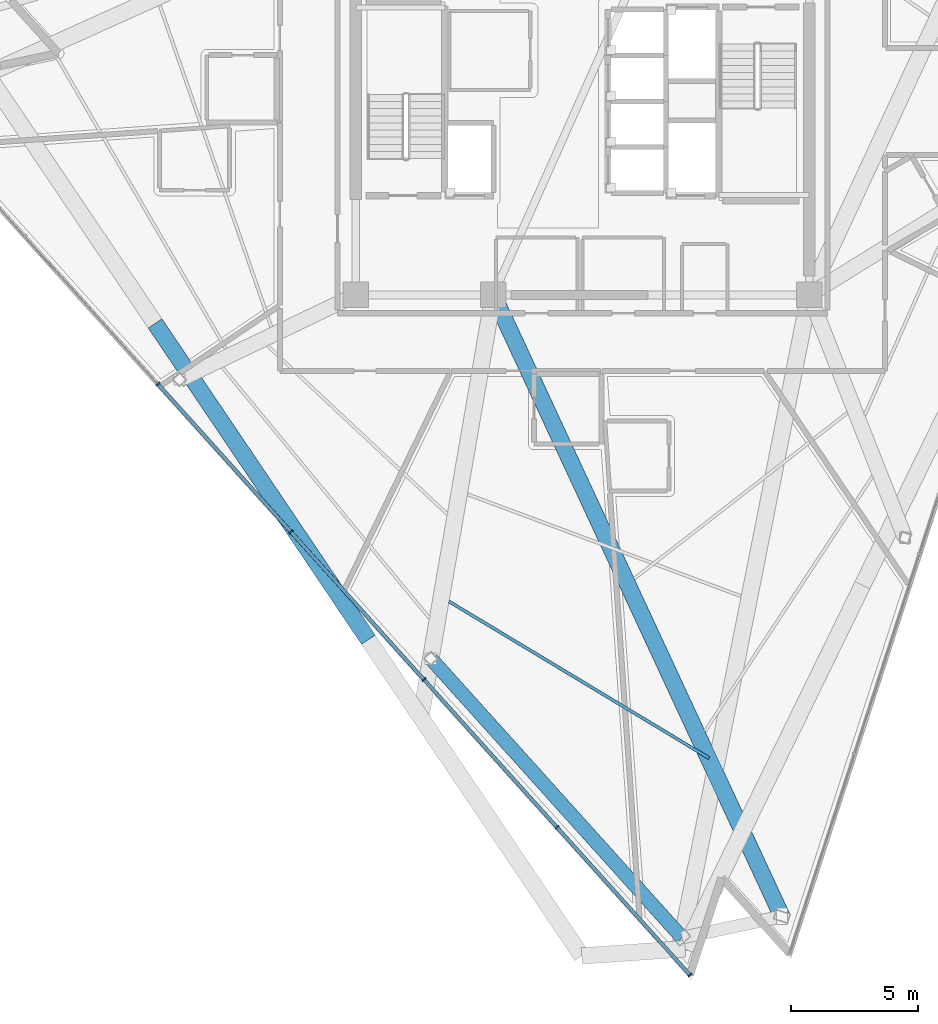
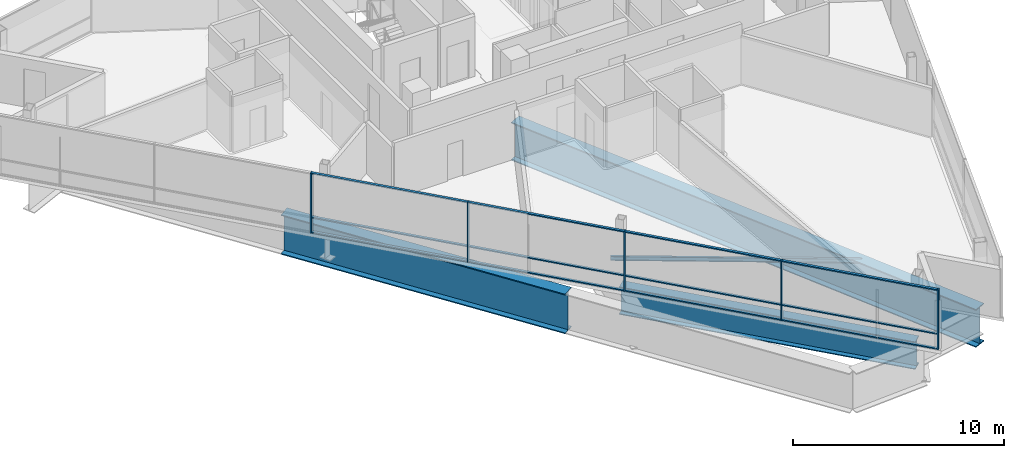
# One storey, part 2 of 18: 17 members, 4 beams, 1 element without a shape of its own.
"""IFC4 building model written with IfcOpenShell, lengths in metres."""

from ifc_helpers import new_model, si_unit, direction, frame, origin, origin_2d, place, context, subcontext, project, spatial, rectangle, i_section, extrude, material, layer, layer_set, material_profile, profile_set, type_object, element, aggregate, save


model = new_model("IFC4")

# Units and contexts
model_context = context("Model", 3, precision=1e-05, world=origin(), true_north=direction((0.0, 1.0)))
body_context = subcontext(model_context, "Body", "Model", "MODEL_VIEW")
ifc_project = project(units=[si_unit("LENGTHUNIT", "METRE"), si_unit("AREAUNIT", "SQUARE_METRE"), si_unit("VOLUMEUNIT", "CUBIC_METRE"), si_unit("PLANEANGLEUNIT", "RADIAN"), si_unit("MASSUNIT", "GRAM", prefix="KILO")], contexts=[model_context])

# Site, building, storey
site_placement = place(None, origin())
site = spatial("IfcSite", under=ifc_project, at=site_placement, CompositionType="ELEMENT")
building_placement = place(site_placement, origin())
building = spatial("IfcBuilding", under=site, at=building_placement, Name="Tharavind Bronze Gate", CompositionType="ELEMENT")
storey_placement = place(building_placement, frame((0.0, 0.0, 279.75)))
storey = spatial("IfcBuildingStorey", under=building, at=storey_placement, Name="L72", CompositionType="ELEMENT", Elevation=279.75)

# Curtain wall, members
ifc_material_1 = material(Name="Anodised Bronze Aluminium", Category="aluminium")
ifc_layer = layer(ifc_material_1, 0.219970703125)
ifc_layer_set = layer_set([ifc_layer], Name="Anodised Bronze Aluminium")
curtain_wall_type = type_object("IfcCurtainWallType", Name="UNITISED CURTAIN WALL CROWN", PredefinedType="USERDEFINED", material=ifc_layer_set)
curtain_wall_placement = place(storey_placement, origin())
curtain_wall = element("IfcCurtainWall", 1, at=curtain_wall_placement, inside=storey, type_object=curtain_wall_type, Name="L72 unitised curtain wall crown CW-L72-S1", ObjectType="UNITISED CURTAIN WALL", PredefinedType="USERDEFINED")
member_type_1 = type_object("IfcMemberType", Name="CURTAIN WALL BRONZE MULLION 65X180", PredefinedType="MULLION", material=ifc_material_1)
member_1_placement = place(storey_placement, frame((-16.663330078125, -11.101806640625, 0.0), z_axis=(0.0, 0.0, 1.0), x_axis=(0.669130606359, -0.743144825477, 0.0)))
member_1 = element("IfcMember", 2, at=member_1_placement, type_object=member_type_1, Name="CW-L72-S1 mullion 3", PredefinedType="MULLION", context=body_context, shape_type="SweptSolid", body=[
    extrude(rectangle(XDim=0.06494140625, YDim=0.179931640625, at=origin_2d()), origin(), (0.0, 0.0, 1.0), 3.465087890625),
])
member_2_placement = place(storey_placement, frame((-11.442138671875, -16.900390625, 0.0), z_axis=(0.0, 0.0, 1.0), x_axis=(0.669130606359, -0.743144825477, 0.0)))
member_2 = element("IfcMember", 3, at=member_2_placement, type_object=member_type_1, Name="CW-L72-S1 mullion 4", PredefinedType="MULLION", context=body_context, shape_type="SweptSolid", body=[
    extrude(rectangle(XDim=0.06494140625, YDim=0.179931640625, at=origin_2d()), origin(), (0.0, 0.0, 1.0), 3.465087890625),
])
member_3_placement = place(storey_placement, frame((-6.22119140625, -22.698974609375, 0.0), z_axis=(0.0, 0.0, 1.0), x_axis=(0.669130606359, -0.743144825477, 0.0)))
member_3 = element("IfcMember", 4, at=member_3_placement, type_object=member_type_1, Name="CW-L72-S1 mullion 5", PredefinedType="MULLION", context=body_context, shape_type="SweptSolid", body=[
    extrude(rectangle(XDim=0.06494140625, YDim=0.179931640625, at=origin_2d()), origin(), (0.0, 0.0, 1.0), 3.465087890625),
])
member_4_placement = place(storey_placement, frame((-1.000244140625, -28.49755859375, 0.0), z_axis=(0.0, 0.0, 1.0), x_axis=(0.669130606359, -0.743144825477, 0.0)))
member_4 = element("IfcMember", 5, at=member_4_placement, type_object=member_type_1, Name="CW-L72-S1 mullion 6", PredefinedType="MULLION", context=body_context, shape_type="SweptSolid", body=[
    extrude(rectangle(XDim=0.06494140625, YDim=0.179931640625, at=origin_2d()), origin(), (0.0, 0.0, 1.0), 3.465087890625),
])
member_5_placement = place(storey_placement, frame((4.220703125, -34.2958984375, 0.0), z_axis=(0.0, 0.0, 1.0), x_axis=(0.669130606359, -0.743144825477, 0.0)))
member_5 = element("IfcMember", 6, at=member_5_placement, type_object=member_type_1, Name="CW-L72-S1 mullion 7", PredefinedType="MULLION", context=body_context, shape_type="SweptSolid", body=[
    extrude(rectangle(XDim=0.06494140625, YDim=0.179931640625, at=origin_2d()), origin(), (0.0, 0.0, 1.0), 3.465087890625),
])
member_type_2 = type_object("IfcMemberType", Name="CURTAIN WALL BRONZE TRANSOM 65X140", PredefinedType="USERDEFINED", material=ifc_material_1)
member_6_placement = place(storey_placement, frame((-14.052734375, -14.001220703125, 0.0), z_axis=(0.0, 0.0, 1.0), x_axis=(0.669130606359, -0.743144825477, 0.0)))
member_6 = element("IfcMember", 7, at=member_6_placement, type_object=member_type_2, Name="CW-L72-S1 transom TB3", ObjectType="TRANSOM", PredefinedType="USERDEFINED", context=body_context, shape_type="SweptSolid", body=[
    extrude(rectangle(XDim=7.749755859375, YDim=0.139892578125, at=origin_2d()), origin(), (0.0, 0.0, 1.0), 0.06494140625),
])
member_7_placement = place(storey_placement, frame((-14.052734375, -14.001220703125, 0.867431640625), z_axis=(0.0, 0.0, 1.0), x_axis=(0.669130606359, -0.743144825477, 0.0)))
member_7 = element("IfcMember", 8, at=member_7_placement, type_object=member_type_2, Name="CW-L72-S1 transom TS3", ObjectType="TRANSOM", PredefinedType="USERDEFINED", context=body_context, shape_type="SweptSolid", body=[
    extrude(rectangle(XDim=7.749755859375, YDim=0.139892578125, at=origin_2d()), origin(), (0.0, 0.0, 1.0), 0.06494140625),
])
member_8_placement = place(storey_placement, frame((-14.052734375, -14.001220703125, 3.400146484375), z_axis=(0.0, 0.0, 1.0), x_axis=(0.669130606359, -0.743144825477, 0.0)))
member_8 = element("IfcMember", 9, at=member_8_placement, type_object=member_type_2, Name="CW-L72-S1 transom TT3", ObjectType="TRANSOM", PredefinedType="USERDEFINED", context=body_context, shape_type="SweptSolid", body=[
    extrude(rectangle(XDim=7.749755859375, YDim=0.139892578125, at=origin_2d()), origin(), (0.0, 0.0, 1.0), 0.06494140625),
])
member_9_placement = place(storey_placement, frame((-8.831787109375, -19.7998046875, 0.0), z_axis=(0.0, 0.0, 1.0), x_axis=(0.669130606359, -0.743144825477, 0.0)))
member_9 = element("IfcMember", 10, at=member_9_placement, type_object=member_type_2, Name="CW-L72-S1 transom TB4", ObjectType="TRANSOM", PredefinedType="USERDEFINED", context=body_context, shape_type="SweptSolid", body=[
    extrude(rectangle(XDim=7.749755859375, YDim=0.139892578125, at=origin_2d()), origin(), (0.0, 0.0, 1.0), 0.06494140625),
])
member_10_placement = place(storey_placement, frame((-8.831787109375, -19.7998046875, 0.867431640625), z_axis=(0.0, 0.0, 1.0), x_axis=(0.669130606359, -0.743144825477, 0.0)))
member_10 = element("IfcMember", 11, at=member_10_placement, type_object=member_type_2, Name="CW-L72-S1 transom TS4", ObjectType="TRANSOM", PredefinedType="USERDEFINED", context=body_context, shape_type="SweptSolid", body=[
    extrude(rectangle(XDim=7.749755859375, YDim=0.139892578125, at=origin_2d()), origin(), (0.0, 0.0, 1.0), 0.06494140625),
])
member_11_placement = place(storey_placement, frame((-8.831787109375, -19.7998046875, 3.400146484375), z_axis=(0.0, 0.0, 1.0), x_axis=(0.669130606359, -0.743144825477, 0.0)))
member_11 = element("IfcMember", 12, at=member_11_placement, type_object=member_type_2, Name="CW-L72-S1 transom TT4", ObjectType="TRANSOM", PredefinedType="USERDEFINED", context=body_context, shape_type="SweptSolid", body=[
    extrude(rectangle(XDim=7.749755859375, YDim=0.139892578125, at=origin_2d()), origin(), (0.0, 0.0, 1.0), 0.06494140625),
])
member_12_placement = place(storey_placement, frame((-3.610595703125, -25.59814453125, 0.0), z_axis=(0.0, 0.0, 1.0), x_axis=(0.669130606359, -0.743144825477, 0.0)))
member_12 = element("IfcMember", 13, at=member_12_placement, type_object=member_type_2, Name="CW-L72-S1 transom TB5", ObjectType="TRANSOM", PredefinedType="USERDEFINED", context=body_context, shape_type="SweptSolid", body=[
    extrude(rectangle(XDim=7.749755859375, YDim=0.139892578125, at=origin_2d()), origin(), (0.0, 0.0, 1.0), 0.06494140625),
])
member_13_placement = place(storey_placement, frame((-3.610595703125, -25.59814453125, 0.867431640625), z_axis=(0.0, 0.0, 1.0), x_axis=(0.669130606359, -0.743144825477, 0.0)))
member_13 = element("IfcMember", 14, at=member_13_placement, type_object=member_type_2, Name="CW-L72-S1 transom TS5", ObjectType="TRANSOM", PredefinedType="USERDEFINED", context=body_context, shape_type="SweptSolid", body=[
    extrude(rectangle(XDim=7.749755859375, YDim=0.139892578125, at=origin_2d()), origin(), (0.0, 0.0, 1.0), 0.06494140625),
])
member_14_placement = place(storey_placement, frame((-3.610595703125, -25.59814453125, 3.400146484375), z_axis=(0.0, 0.0, 1.0), x_axis=(0.669130606359, -0.743144825477, 0.0)))
member_14 = element("IfcMember", 15, at=member_14_placement, type_object=member_type_2, Name="CW-L72-S1 transom TT5", ObjectType="TRANSOM", PredefinedType="USERDEFINED", context=body_context, shape_type="SweptSolid", body=[
    extrude(rectangle(XDim=7.749755859375, YDim=0.139892578125, at=origin_2d()), origin(), (0.0, 0.0, 1.0), 0.06494140625),
])
member_15_placement = place(storey_placement, frame((1.6103515625, -31.396728515625, 0.0), z_axis=(0.0, 0.0, 1.0), x_axis=(0.669130606359, -0.743144825477, 0.0)))
member_15 = element("IfcMember", 16, at=member_15_placement, type_object=member_type_2, Name="CW-L72-S1 transom TB6", ObjectType="TRANSOM", PredefinedType="USERDEFINED", context=body_context, shape_type="SweptSolid", body=[
    extrude(rectangle(XDim=7.749755859375, YDim=0.139892578125, at=origin_2d()), origin(), (0.0, 0.0, 1.0), 0.06494140625),
])
member_16_placement = place(storey_placement, frame((1.6103515625, -31.396728515625, 0.867431640625), z_axis=(0.0, 0.0, 1.0), x_axis=(0.669130606359, -0.743144825477, 0.0)))
member_16 = element("IfcMember", 17, at=member_16_placement, type_object=member_type_2, Name="CW-L72-S1 transom TS6", ObjectType="TRANSOM", PredefinedType="USERDEFINED", context=body_context, shape_type="SweptSolid", body=[
    extrude(rectangle(XDim=7.749755859375, YDim=0.139892578125, at=origin_2d()), origin(), (0.0, 0.0, 1.0), 0.06494140625),
])
member_17_placement = place(storey_placement, frame((1.6103515625, -31.396728515625, 3.400146484375), z_axis=(0.0, 0.0, 1.0), x_axis=(0.669130606359, -0.743144825477, 0.0)))
member_17 = element("IfcMember", 18, at=member_17_placement, type_object=member_type_2, Name="CW-L72-S1 transom TT6", ObjectType="TRANSOM", PredefinedType="USERDEFINED", context=body_context, shape_type="SweptSolid", body=[
    extrude(rectangle(XDim=7.749755859375, YDim=0.139892578125, at=origin_2d()), origin(), (0.0, 0.0, 1.0), 0.06494140625),
])
aggregate(curtain_wall, [member_1, member_2, member_3, member_4, member_5, member_6, member_7, member_8, member_9, member_10, member_11, member_12, member_13, member_14, member_15, member_16, member_17])

# Beams
ifc_material_2 = material(Name="Steel S355", Category="steel")
ifc_material_profile_1 = material_profile(ifc_material_2, i_section(OverallWidth=0.1201171875, OverallDepth=0.239990234375, WebThickness=0.006103515625, FlangeThickness=0.009765625, at=origin_2d()), Name="IPE240")
ifc_profile_set_1 = profile_set([ifc_material_profile_1], Name="Steel S355")
beam_type_1 = type_object("IfcBeamType", Name="SECONDARY FLOOR JOIST IPE240", PredefinedType="JOIST", material=ifc_profile_set_1)
beam_1_placement = place(storey_placement, frame((-5.235107421875, -19.635498046875, -0.31005859375), z_axis=(0.856625395503, -0.515938883763, 0.0), x_axis=(0.515938883763, 0.856625395503, 0.0)))
element("IfcBeam", 19, at=beam_1_placement, inside=storey, type_object=beam_type_1, Name="L72 secondary floor joist ipe240 BM-L72-JSTB03", PredefinedType="JOIST", context=body_context, shape_type="SweptSolid", body=[
    extrude(i_section(OverallWidth=0.1201171875, OverallDepth=0.239990234375, WebThickness=0.006103515625, FlangeThickness=0.009765625, at=origin_2d()), origin(), (0.0, 0.0, 1.0), 11.910888671875),
])
ifc_material_3 = material(Name="Steel S460", Category="steel")
ifc_material_profile_2 = material_profile(ifc_material_3, i_section(OverallWidth=0.550048828125, OverallDepth=1.60009765625, WebThickness=0.030029296875, FlangeThickness=0.050048828125, at=origin_2d()), Name="PG1600X550")
ifc_profile_set_2 = profile_set([ifc_material_profile_2], Name="Steel S460")
beam_type_2 = type_object("IfcBeamType", Name="TRANSFER GIRDER 1600X550", PredefinedType="USERDEFINED", material=ifc_profile_set_2)
beam_2_placement = place(storey_placement, frame((-5.95361328125, -21.875244140625, -0.989990234375), z_axis=(0.669134014343, -0.7431417569, 0.0), x_axis=(0.7431417569, 0.669134014343, 0.0)))
element("IfcBeam", 20, at=beam_2_placement, inside=storey, type_object=beam_type_2, Name="L72 transfer girder 1600x550 BM-L72-URG03", ObjectType="TRANSFER GIRDER", PredefinedType="USERDEFINED", context=body_context, shape_type="SweptSolid", body=[
    extrude(i_section(OverallWidth=0.550048828125, OverallDepth=1.60009765625, WebThickness=0.030029296875, FlangeThickness=0.050048828125, at=origin_2d()), origin(), (0.0, 0.0, 1.0), 14.7392578125),
])
ifc_material_profile_3 = material_profile(ifc_material_3, i_section(OverallWidth=0.64990234375, OverallDepth=2.199951171875, WebThickness=0.035888671875, FlangeThickness=0.054931640625, at=origin_2d()), Name="PG2200X650")
ifc_profile_set_3 = profile_set([ifc_material_profile_3], Name="Steel S460")
beam_type_3 = type_object("IfcBeamType", Name="TRANSFER GIRDER 2200X650", PredefinedType="USERDEFINED", material=ifc_profile_set_3)
beam_3_placement = place(storey_placement, frame((-3.5, -7.60009765625, -1.2900390625), z_axis=(0.421198774933, -0.906968352256, 0.0), x_axis=(0.906968352256, 0.421198774933, 0.0)))
element("IfcBeam", 21, at=beam_3_placement, inside=storey, type_object=beam_type_3, Name="L72 transfer girder 2200x650 BM-L72-XFR05", ObjectType="TRANSFER GIRDER", PredefinedType="USERDEFINED", context=body_context, shape_type="SweptSolid", body=[
    extrude(i_section(OverallWidth=0.64990234375, OverallDepth=2.199951171875, WebThickness=0.035888671875, FlangeThickness=0.054931640625, at=origin_2d()), origin(), (0.0, 0.0, 1.0), 26.89794921875),
])
ifc_material_profile_4 = material_profile(ifc_material_3, i_section(OverallWidth=0.64990234375, OverallDepth=2.300048828125, WebThickness=0.035888671875, FlangeThickness=0.05810546875, at=origin_2d()), Name="PG2300X650")
ifc_profile_set_4 = profile_set([ifc_material_profile_4], Name="Steel S460")
beam_type_4 = type_object("IfcBeamType", Name="TRANSFER GIRDER 2300X650", PredefinedType="USERDEFINED", material=ifc_profile_set_4)
beam_4_placement = place(storey_placement, frame((-16.776123046875, -8.719970703125, -1.340087890625), z_axis=(0.559195614283, -0.829035744083, 0.0), x_axis=(0.829035744083, 0.559195614283, 0.0)))
element("IfcBeam", 22, at=beam_4_placement, inside=storey, type_object=beam_type_4, Name="L72 transfer girder 2300x650 BM-L72-LRG02", ObjectType="TRANSFER GIRDER", PredefinedType="USERDEFINED", context=body_context, shape_type="SweptSolid", body=[
    extrude(i_section(OverallWidth=0.64990234375, OverallDepth=2.300048828125, WebThickness=0.035888671875, FlangeThickness=0.05810546875, at=origin_2d()), origin(), (0.0, 0.0, 1.0), 14.974609375),
])

save(model, "model.ifc")
